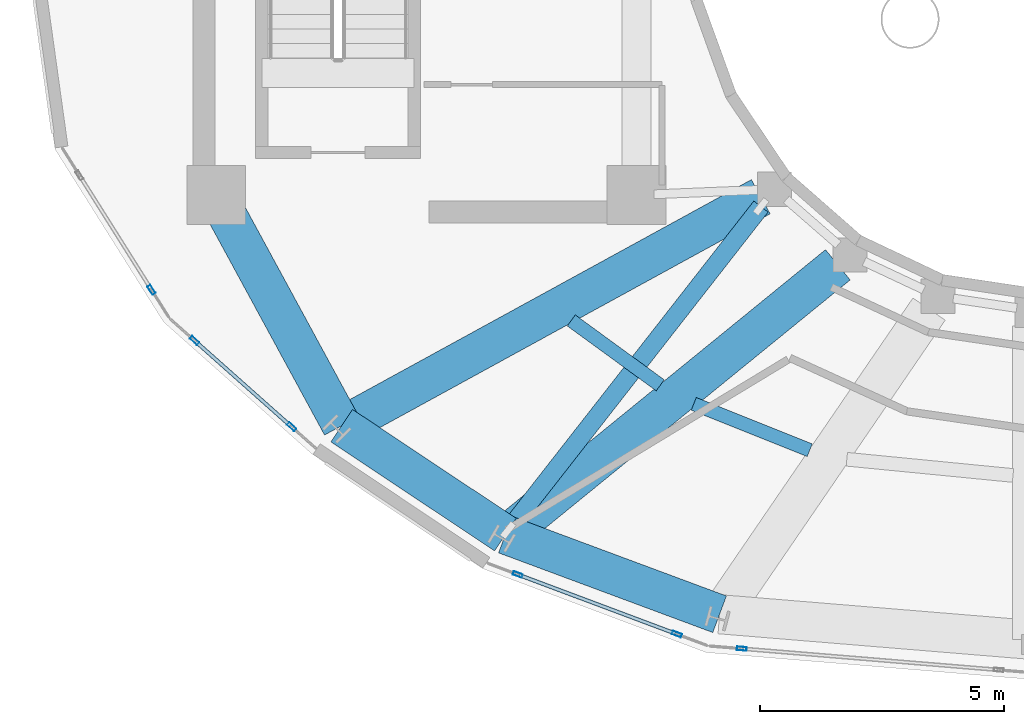
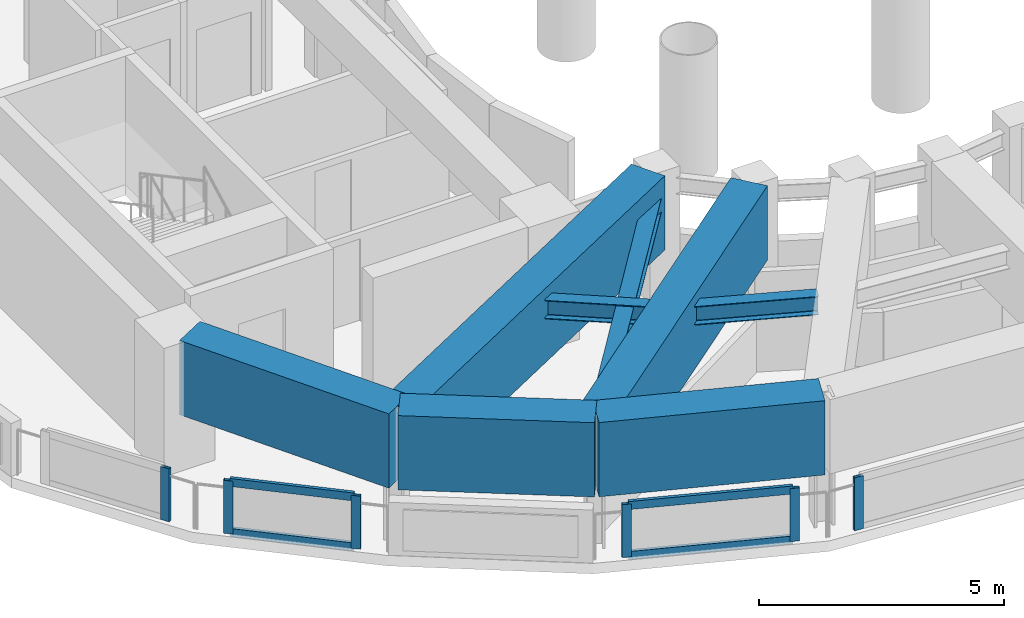
# One storey, part 2 of 18: 11 members, 7 beams, 4 elements without a shape of their own.
"""IFC4 building model written with IfcOpenShell, lengths in metres."""

import ifcopenshell
import ifcopenshell.guid

model = None  # the IFC model being written
_history = None  # IfcOwnerHistory: only IFC2X3 demands one
_inside = {}  # id of a spatial element -> (the spatial element, [elements in it])
_under = {}  # id of a project, library or spatial element -> (it, [spatial elements below it])
_declared = {}  # id of a project -> (the project, [libraries it declares])
_typed = {}  # id of a type object -> (the type object, [elements of that type])
_made_of = {}  # id of a material, layer set ... -> (it, [elements and type objects made of it])


def new_model(schema):
    """Start an empty IFC model of exactly this schema.

    Asked for "IFC4X3", IfcOpenShell would pick the latest addendum, in which some entities
    have other attributes; the version numbers below select the first issue.
    IFC2X3 requires an IfcOwnerHistory on every rooted entity: one is made here for all.
    """
    global model, _history
    if schema == "IFC4X3":
        model = ifcopenshell.file(schema_version=(4, 3, 0, 0))
    else:
        model = ifcopenshell.file(schema=schema)
    _inside.clear()
    _under.clear()
    _declared.clear()
    _typed.clear()
    _made_of.clear()
    _history = None
    if model.schema == "IFC2X3":
        org = make("IfcOrganization", Name="unknown")
        user = make(
            "IfcPersonAndOrganization",
            ThePerson=make("IfcPerson", FamilyName="unknown"),
            TheOrganization=org,
        )
        app = make(
            "IfcApplication",
            ApplicationDeveloper=org,
            Version="unknown",
            ApplicationFullName="unknown",
            ApplicationIdentifier="unknown",
        )
        _history = make(
            "IfcOwnerHistory",
            OwningUser=user,
            OwningApplication=app,
            ChangeAction="ADDED",
            CreationDate=0,
        )
    return model


def make(cls, **values):
    """One entity of the class cls with the attributes given. An attribute that is None is left unset."""
    return model.create_entity(
        cls, **{name: value for name, value in values.items() if value is not None}
    )


def rooted(cls, **values):
    """An entity with a GlobalId (a new one), such as an element, a storey or a relation."""
    return make(cls, GlobalId=ifcopenshell.guid.new(), OwnerHistory=_history, **values)


def si_unit(unit_type, name, prefix=None):
    """IfcSIUnit, for example si_unit("LENGTHUNIT", "METRE", prefix="MILLI")."""
    return make("IfcSIUnit", UnitType=unit_type, Prefix=prefix, Name=name)


def assignment(units):
    """IfcUnitAssignment: the units of a project."""
    return None if units is None else make("IfcUnitAssignment", Units=units)


def point(xyz):
    """IfcCartesianPoint."""
    return None if xyz is None else make("IfcCartesianPoint", Coordinates=xyz)


def direction(xyz):
    """IfcDirection."""
    return None if xyz is None else make("IfcDirection", DirectionRatios=xyz)


def frame(location, z_axis=None, x_axis=None):
    """IfcAxis2Placement3D, a coordinate frame: its origin and axes. An axis left out is left unset."""
    return make(
        "IfcAxis2Placement3D",
        Location=point(location),
        Axis=direction(z_axis),
        RefDirection=direction(x_axis),
    )


def frame_2d(location, x_axis=None):
    """IfcAxis2Placement2D, a coordinate frame in the plane: its origin and x axis."""
    return make(
        "IfcAxis2Placement2D", Location=point(location), RefDirection=direction(x_axis)
    )


def origin():
    """The frame at (0, 0, 0) with its axes left unset."""
    return frame((0.0, 0.0, 0.0))


def origin_2d():
    """The frame at (0, 0) in the plane with its x axis left unset."""
    return frame_2d((0.0, 0.0))


def place(relative_to, where):
    """IfcLocalPlacement: puts the frame where relative to a parent placement (None: the world)."""
    return make(
        "IfcLocalPlacement", PlacementRelTo=relative_to, RelativePlacement=where
    )


def context(
    kind, dimensions, precision=None, world=None, true_north=None, identifier=None
):
    """IfcGeometricRepresentationContext, for example the 3D "Model" context."""
    return make(
        "IfcGeometricRepresentationContext",
        ContextIdentifier=identifier,
        ContextType=kind,
        CoordinateSpaceDimension=dimensions,
        Precision=precision,
        WorldCoordinateSystem=world,
        TrueNorth=true_north,
    )


def subcontext(parent, identifier, kind, view, scale=None):
    """IfcGeometricRepresentationSubContext, for example "Body" below "Model"."""
    return make(
        "IfcGeometricRepresentationSubContext",
        ContextIdentifier=identifier,
        ContextType=kind,
        ParentContext=parent,
        TargetScale=scale,
        TargetView=view,
    )


def project(units=None, contexts=None):
    """IfcProject with its units and contexts."""
    return rooted(
        "IfcProject",
        Name="project",
        RepresentationContexts=contexts,
        UnitsInContext=assignment(units),
    )


def spatial(cls, under=None, at=None, **own):
    """A site, building, storey or space (cls), placed at a placement, below another one or the project."""
    s = rooted(cls, ObjectPlacement=at, **own)
    if under is not None:
        _under.setdefault(under.id(), (under, []))[1].append(s)
    return s


def profile(cls, at=None, kind="AREA", **sizes):
    """A parametric profile (cls). Its sizes go by their IFC names, for example OverallWidth=200.0."""
    return make(cls, ProfileType=kind, Position=at, **sizes)


def rectangle(**sizes):
    """IfcRectangleProfileDef."""
    return profile("IfcRectangleProfileDef", **sizes)


def hollow_rectangle(**sizes):
    """IfcRectangleHollowProfileDef."""
    return profile("IfcRectangleHollowProfileDef", **sizes)


def i_section(**sizes):
    """IfcIShapeProfileDef."""
    return profile("IfcIShapeProfileDef", **sizes)


def extrude(swept, where, along, depth):
    """IfcExtrudedAreaSolid: the profile swept, set in the frame where, extruded along a direction by depth."""
    return make(
        "IfcExtrudedAreaSolid",
        SweptArea=swept,
        Position=where,
        ExtrudedDirection=direction(along),
        Depth=depth,
    )


def shape(context_of_items, identifier, shape_type, items):
    """IfcShapeRepresentation: the items that make up one representation, for example the "Body"."""
    return make(
        "IfcShapeRepresentation",
        ContextOfItems=context_of_items,
        RepresentationIdentifier=identifier,
        RepresentationType=shape_type,
        Items=items,
    )


def material(Name=None, Category=None):
    """IfcMaterial."""
    return make("IfcMaterial", Name=Name, Category=Category)


def layer(
    of_material, thickness, ventilated=None, Name=None, Category=None, Priority=None
):
    """IfcMaterialLayer: one layer of a wall or slab, of a material (None: an air gap)."""
    return make(
        "IfcMaterialLayer",
        Material=of_material,
        LayerThickness=thickness,
        IsVentilated=ventilated,
        Name=Name,
        Category=Category,
        Priority=Priority,
    )


def layer_set(layers, Name=None):
    """IfcMaterialLayerSet."""
    return make("IfcMaterialLayerSet", MaterialLayers=layers, LayerSetName=Name)


def material_profile(
    of_material, cross_section, Name=None, Category=None, Priority=None
):
    """IfcMaterialProfile: a cross section and its material."""
    return make(
        "IfcMaterialProfile",
        Name=Name,
        Material=of_material,
        Profile=cross_section,
        Priority=Priority,
        Category=Category,
    )


def profile_set(profiles, Name=None, composite=None):
    """IfcMaterialProfileSet."""
    return make(
        "IfcMaterialProfileSet",
        Name=Name,
        MaterialProfiles=profiles,
        CompositeProfile=composite,
    )


def made_of(thing, what):
    """Note that an element or type object is made of a material, layer set ...; save() writes the relation."""
    if what is not None:
        _made_of.setdefault(what.id(), (what, []))[1].append(thing)
    return thing


def type_object(cls, material=None, **own):
    """A type object (cls), such as IfcWallType, which elements share."""
    return made_of(rooted(cls, **own), material)


def element(
    cls,
    number,
    at=None,
    inside=None,
    cuts=None,
    type_object=None,
    material=None,
    context=None,
    identifier="Body",
    shape_type=None,
    held_by="IfcProductDefinitionShape",
    body=None,
    shapes=None,
    **own,
):
    """One element of the class cls, such as IfcWall. Its Tag is "e" and its number.

    at: its placement. inside: the storey or other place that contains it. cuts: it is an
    opening in that element (IfcRelVoidsElement). A single representation is given by context,
    identifier, shape_type and body (its items); several are given by shapes. held_by: the class
    of the entity that holds the representations. save() writes the other relations.
    """
    e = rooted(cls, Tag="e%d" % number, ObjectPlacement=at, **own)
    if body is not None:
        shapes = [shape(context, identifier, shape_type, body)]
    if shapes is not None:
        e.Representation = make(held_by, Representations=shapes)
    if inside is not None:
        _inside.setdefault(inside.id(), (inside, []))[1].append(e)
    if cuts is not None:
        rooted(
            "IfcRelVoidsElement", RelatingBuildingElement=cuts, RelatedOpeningElement=e
        )
    if type_object is not None:
        _typed.setdefault(type_object.id(), (type_object, []))[1].append(e)
    return made_of(e, material)


def aggregate(whole, parts):
    """IfcRelAggregates: a whole, such as a stair, and the parts it consists of."""
    return rooted("IfcRelAggregates", RelatingObject=whole, RelatedObjects=parts)


def save(model, path):
    """Write the relations noted so far, then the file.

    IfcRelAggregates (storeys below a building ...), IfcRelContainedInSpatialStructure (elements
    in a storey), IfcRelDefinesByType, IfcRelAssociatesMaterial and IfcRelDeclares: one each for
    every whole, place, type object, material and project.
    """
    for whole, parts in _under.values():
        aggregate(whole, parts)
    for where, things in _inside.values():
        rooted(
            "IfcRelContainedInSpatialStructure",
            RelatedElements=things,
            RelatingStructure=where,
        )
    for kind, things in _typed.values():
        rooted("IfcRelDefinesByType", RelatedObjects=things, RelatingType=kind)
    for what, things in _made_of.values():
        rooted("IfcRelAssociatesMaterial", RelatedObjects=things, RelatingMaterial=what)
    for by, libraries in _declared.values():
        rooted("IfcRelDeclares", RelatingContext=by, RelatedDefinitions=libraries)
    model.write(path)


model = new_model("IFC4")

# Units and contexts
model_context = context("Model", 3, precision=1e-05, world=origin(), true_north=direction((0.0, 1.0)))
body_context = subcontext(model_context, "Body", "Model", "MODEL_VIEW")
ifc_project = project(units=[si_unit("LENGTHUNIT", "METRE"), si_unit("AREAUNIT", "SQUARE_METRE"), si_unit("VOLUMEUNIT", "CUBIC_METRE"), si_unit("PLANEANGLEUNIT", "RADIAN"), si_unit("MASSUNIT", "GRAM", prefix="KILO")], contexts=[model_context])

# Site, building, storey
site_placement = place(None, origin())
site = spatial("IfcSite", under=ifc_project, at=site_placement, CompositionType="ELEMENT")
building_placement = place(site_placement, origin())
building = spatial("IfcBuilding", under=site, at=building_placement, Name="Solvane Sanctuary Tower", CompositionType="ELEMENT")
storey_placement = place(building_placement, frame((0.0, 0.0, 266.800048828125)))
storey = spatial("IfcBuildingStorey", under=building, at=storey_placement, Name="L81", CompositionType="ELEMENT", Elevation=266.800048828125)

# Beams
ifc_material_1 = material(Name="Steel ASTM A992 Grade 50", Category="steel")
ifc_material_profile_1 = material_profile(ifc_material_1, i_section(OverallWidth=0.280029296875, OverallDepth=0.462890625, WebThickness=0.0107421875, FlangeThickness=0.017333984375, FilletRadius=0.013916015625, at=origin_2d()), Name="W18X76")
ifc_profile_set_1 = profile_set([ifc_material_profile_1], Name="Steel ASTM A992 Grade 50")
beam_type_1 = type_object("IfcBeamType", Name="Beam B-SEC-JOIST W18X76", PredefinedType="JOIST", material=ifc_profile_set_1)
beam_1_placement = place(storey_placement, frame((22.564697265625, 14.33251953125, 2.70654296875), z_axis=(0.808051579257, -0.589111742593, 0.0), x_axis=(0.589111742593, 0.808051579257, 0.0)))
element("IfcBeam", 1, at=beam_1_placement, inside=storey, type_object=beam_type_1, Name="L81 Secondary Circumferential Joist 08-09", PredefinedType="JOIST", context=body_context, shape_type="SweptSolid", body=[
    extrude(i_section(OverallWidth=0.280029296875, OverallDepth=0.462890625, WebThickness=0.0107421875, FlangeThickness=0.017333984375, FilletRadius=0.013916015625, at=origin_2d()), origin(), (0.0, 0.0, 1.0), 2.253662109375),
])
beam_2_placement = place(storey_placement, frame((25.07177734375, 12.62548828125, 2.70654296875), z_axis=(0.928509610191, -0.37130836751, 0.0), x_axis=(0.37130836751, 0.928509610191, 0.0)))
element("IfcBeam", 2, at=beam_2_placement, inside=storey, type_object=beam_type_1, Name="L81 Secondary Circumferential Joist 09-10", PredefinedType="JOIST", context=body_context, shape_type="SweptSolid", body=[
    extrude(i_section(OverallWidth=0.280029296875, OverallDepth=0.462890625, WebThickness=0.0107421875, FlangeThickness=0.017333984375, FilletRadius=0.013916015625, at=origin_2d()), origin(), (0.0, 0.0, 1.0), 2.55712890625),
])
ifc_material_2 = material(Name="Concrete C70/85", Category="concrete")
ifc_material_profile_2 = material_profile(ifc_material_2, rectangle(XDim=0.800048828125, YDim=1.85009765625, at=origin_2d()), Name="RC800X1850")
ifc_profile_set_2 = profile_set([ifc_material_profile_2], Name="Concrete C70/85")
beam_type_2 = type_object("IfcBeamType", Name="Beam B-XFER-BLK RC800X1850", PredefinedType="BEAM", material=ifc_profile_set_2)
beam_3_placement = place(storey_placement, frame((26.4443359375, 16.8642578125, 2.27490234375), z_axis=(-0.877118019925, -0.480274899534, 0.0), x_axis=(0.480274899534, -0.877118019925, 0.0)))
element("IfcBeam", 3, at=beam_3_placement, inside=storey, type_object=beam_type_2, Name="L81 Block-Shift Radial Transfer Girder 08A", PredefinedType="BEAM", context=body_context, shape_type="SweptSolid", body=[
    extrude(rectangle(XDim=0.800048828125, YDim=1.85009765625, at=origin_2d()), origin(), (0.0, 0.0, 1.0), 9.794189453125),
])
beam_4_placement = place(storey_placement, frame((28.021728515625, 15.471435546875, 2.27490234375), z_axis=(-0.775601292697, -0.631223125976, 0.0), x_axis=(0.631223125976, -0.775601292697, 0.0)))
element("IfcBeam", 4, at=beam_4_placement, inside=storey, type_object=beam_type_2, Name="L81 Block-Shift Radial Transfer Girder 09A", PredefinedType="BEAM", context=body_context, shape_type="SweptSolid", body=[
    extrude(rectangle(XDim=0.800048828125, YDim=1.85009765625, at=origin_2d()), origin(), (0.0, 0.0, 1.0), 8.772705078125),
])
beam_5_placement = place(storey_placement, frame((15.471923828125, 16.583740234375, 2.27490234375), z_axis=(0.477353990343, -0.878711083294, 0.0), x_axis=(0.878711083294, 0.477353990343, 0.0)))
element("IfcBeam", 5, at=beam_5_placement, inside=storey, type_object=beam_type_2, Name="L81 Perimeter Step Transfer Ring CW1-NTC08", PredefinedType="BEAM", context=body_context, shape_type="SweptSolid", body=[
    extrude(rectangle(XDim=0.800048828125, YDim=1.85009765625, at=origin_2d()), origin(), (0.0, 0.0, 1.0), 5.0146484375),
])
beam_6_placement = place(storey_placement, frame((17.86572265625, 12.17724609375, 2.27490234375), z_axis=(0.832637946712, -0.55381770439, 0.0), x_axis=(0.55381770439, 0.832637946712, 0.0)))
element("IfcBeam", 6, at=beam_6_placement, inside=storey, type_object=beam_type_2, Name="L81 Perimeter Step Transfer Ring NTC08-NTC09", PredefinedType="BEAM", context=body_context, shape_type="SweptSolid", body=[
    extrude(rectangle(XDim=0.800048828125, YDim=1.85009765625, at=origin_2d()), origin(), (0.0, 0.0, 1.0), 4.0234375),
])
beam_7_placement = place(storey_placement, frame((21.2158203125, 9.948974609375, 2.27490234375), z_axis=(0.937305510039, -0.348508795944, 0.0), x_axis=(0.348508795944, 0.937305510039, 0.0)))
element("IfcBeam", 7, at=beam_7_placement, inside=storey, type_object=beam_type_2, Name="L81 Perimeter Step Transfer Ring NTC09-NTC10", PredefinedType="BEAM", context=body_context, shape_type="SweptSolid", body=[
    extrude(rectangle(XDim=0.800048828125, YDim=1.85009765625, at=origin_2d()), origin(), (0.0, 0.0, 1.0), 4.678955078125),
])

# Member
ifc_material_profile_3 = material_profile(ifc_material_1, i_section(OverallWidth=0.368896484375, OverallDepth=0.35595703125, WebThickness=0.01123046875, FlangeThickness=0.01806640625, FilletRadius=0.02490234375, at=origin_2d()), Name="W14X90")
ifc_profile_set_3 = profile_set([ifc_material_profile_3], Name="Steel ASTM A992 Grade 50")
member_type_1 = type_object("IfcMemberType", Name="Member M-CROWN-TIE W14X90", PredefinedType="CHORD", material=ifc_profile_set_3)
member_1_placement = place(storey_placement, frame((26.4453125, 16.66015625, 2.54052734375), z_axis=(-0.615559369863, -0.787750922029, 0.023133244814), x_axis=(0.787961787944, -0.615724143379, 0.0)))
element("IfcMember", 8, at=member_1_placement, inside=storey, type_object=member_type_1, Name="L81 Crown Bracing Tie 08", PredefinedType="CHORD", context=body_context, shape_type="SweptSolid", body=[
    extrude(i_section(OverallWidth=0.368896484375, OverallDepth=0.35595703125, WebThickness=0.01123046875, FlangeThickness=0.01806640625, FilletRadius=0.02490234375, at=origin_2d()), origin(), (0.0, 0.0, 1.0), 8.400634765625),
])

# Curtain wall, member
ifc_material_3 = material(Name="Anodised Aluminium 6063-T6", Category="aluminium")
ifc_layer = layer(ifc_material_3, 0.219970703125, Name="Anodised Aluminium 6063-T6")
ifc_layer_set = layer_set([ifc_layer], Name="Anodised Aluminium 6063-T6")
curtain_wall_type = type_object("IfcCurtainWallType", Name="Curtain Wall CW-CROWN", PredefinedType="NOTDEFINED", material=ifc_layer_set)
curtain_wall_1_placement = place(storey_placement, origin())
curtain_wall_1 = element("IfcCurtainWall", 9, at=curtain_wall_1_placement, inside=storey, type_object=curtain_wall_type, Name="L81 Crown Fritted Lantern Curtain Wall 13", PredefinedType="NOTDEFINED")
ifc_material_profile_4 = material_profile(ifc_material_3, hollow_rectangle(XDim=0.074951171875, YDim=0.199951171875, WallThickness=0.00390625, at=origin_2d()), Name="ALU200X75X4")
ifc_profile_set_4 = profile_set([ifc_material_profile_4], Name="Anodised Aluminium 6063-T6")
member_type_2 = type_object("IfcMemberType", Name="Member M-CW-MUL-1 ALU200X75X4", PredefinedType="MULLION", material=ifc_profile_set_4)
member_2_placement = place(storey_placement, frame((13.971435546875, 14.9599609375, 0.0), z_axis=(0.0, 0.0, 1.0), x_axis=(0.846332102963, 0.532655584308, 0.0)))
member_2 = element("IfcMember", 10, at=member_2_placement, type_object=member_type_2, Name="CW-CROWN mullion 2", PredefinedType="MULLION", context=body_context, shape_type="SweptSolid", body=[
    extrude(hollow_rectangle(XDim=0.074951171875, YDim=0.199951171875, WallThickness=0.00390625, at=origin_2d()), origin(), (0.0, 0.0, 1.0), 1.320068359375),
])
aggregate(curtain_wall_1, [member_2])

# Curtain wall, members
curtain_wall_2_placement = place(storey_placement, origin())
curtain_wall_2 = element("IfcCurtainWall", 11, at=curtain_wall_2_placement, inside=storey, type_object=curtain_wall_type, Name="L81 Crown Fritted Lantern Curtain Wall 14", PredefinedType="NOTDEFINED")
member_3_placement = place(storey_placement, frame((14.851806640625, 13.921630859375, 0.0), z_axis=(0.0, 0.0, 1.0), x_axis=(0.664070848204, 0.74766965203, 0.0)))
member_3 = element("IfcMember", 12, at=member_3_placement, type_object=member_type_2, Name="CW-CROWN mullion 1", PredefinedType="MULLION", context=body_context, shape_type="SweptSolid", body=[
    extrude(hollow_rectangle(XDim=0.074951171875, YDim=0.199951171875, WallThickness=0.00390625, at=origin_2d()), origin(), (0.0, 0.0, 1.0), 1.320068359375),
])
member_4_placement = place(storey_placement, frame((16.83935546875, 12.15625, 0.0), z_axis=(0.0, 0.0, 1.0), x_axis=(0.664070848204, 0.74766965203, 0.0)))
member_4 = element("IfcMember", 13, at=member_4_placement, type_object=member_type_2, Name="CW-CROWN mullion 2", PredefinedType="MULLION", context=body_context, shape_type="SweptSolid", body=[
    extrude(hollow_rectangle(XDim=0.074951171875, YDim=0.199951171875, WallThickness=0.00390625, at=origin_2d()), origin(), (0.0, 0.0, 1.0), 1.320068359375),
])

curtain_wall_3_placement = place(storey_placement, origin())
curtain_wall_3 = element("IfcCurtainWall", 14, at=curtain_wall_3_placement, inside=storey, type_object=curtain_wall_type, Name="L81 Crown Fritted Lantern Curtain Wall 16", PredefinedType="NOTDEFINED")
member_5_placement = place(storey_placement, frame((21.46875, 9.1318359375, 0.0), z_axis=(0.0, 0.0, 1.0), x_axis=(0.350836569959, 0.93643670431, 0.0)))
member_5 = element("IfcMember", 15, at=member_5_placement, type_object=member_type_2, Name="CW-CROWN mullion 1", PredefinedType="MULLION", context=body_context, shape_type="SweptSolid", body=[
    extrude(hollow_rectangle(XDim=0.074951171875, YDim=0.199951171875, WallThickness=0.00390625, at=origin_2d()), origin(), (0.0, 0.0, 1.0), 1.320068359375),
])
member_6_placement = place(storey_placement, frame((24.7255859375, 7.911865234375, 0.0), z_axis=(0.0, 0.0, 1.0), x_axis=(0.350836569959, 0.93643670431, 0.0)))
member_6 = element("IfcMember", 16, at=member_6_placement, type_object=member_type_2, Name="CW-CROWN mullion 2", PredefinedType="MULLION", context=body_context, shape_type="SweptSolid", body=[
    extrude(hollow_rectangle(XDim=0.074951171875, YDim=0.199951171875, WallThickness=0.00390625, at=origin_2d()), origin(), (0.0, 0.0, 1.0), 1.320068359375),
])

# Curtain wall, member
curtain_wall_4_placement = place(storey_placement, origin())
curtain_wall_4 = element("IfcCurtainWall", 17, at=curtain_wall_4_placement, inside=storey, type_object=curtain_wall_type, Name="L81 Crown Fritted Lantern Curtain Wall 17", PredefinedType="NOTDEFINED")
member_7_placement = place(storey_placement, frame((26.0546875, 7.614013671875, 0.0), z_axis=(0.0, 0.0, 1.0), x_axis=(0.082454909667, 0.99659479623, 0.0)))
member_7 = element("IfcMember", 18, at=member_7_placement, type_object=member_type_2, Name="CW-CROWN mullion 1", PredefinedType="MULLION", context=body_context, shape_type="SweptSolid", body=[
    extrude(hollow_rectangle(XDim=0.074951171875, YDim=0.199951171875, WallThickness=0.00390625, at=origin_2d()), origin(), (0.0, 0.0, 1.0), 1.320068359375),
])
aggregate(curtain_wall_4, [member_7])

# Member
ifc_material_profile_5 = material_profile(ifc_material_3, hollow_rectangle(XDim=0.074951171875, YDim=0.199951171875, WallThickness=0.00390625, at=origin_2d()), Name="ALU200X75X4")
ifc_profile_set_5 = profile_set([ifc_material_profile_5], Name="Anodised Aluminium 6063-T6")
member_type_3 = type_object("IfcMemberType", Name="Member M-CW-TRN-2 ALU200X75X4", PredefinedType="USERDEFINED", material=ifc_profile_set_5)
member_8_placement = place(storey_placement, frame((14.8798828125, 13.896728515625, 0.037353515625), z_axis=(0.747643909836, -0.66409982991, 0.0), x_axis=(0.66409982991, 0.747643909836, 0.0)))
member_8 = element("IfcMember", 19, at=member_8_placement, type_object=member_type_3, Name="CW-CROWN transom 1.1", ObjectType="TRANSOM", PredefinedType="USERDEFINED", context=body_context, shape_type="SweptSolid", body=[
    extrude(hollow_rectangle(XDim=0.074951171875, YDim=0.199951171875, WallThickness=0.00390625, at=origin_2d()), origin(), (0.0, 0.0, 1.0), 2.583251953125),
])

member_9_placement = place(storey_placement, frame((14.8798828125, 13.896728515625, 1.282470703125), z_axis=(0.747643909836, -0.66409982991, 0.0), x_axis=(0.66409982991, 0.747643909836, 0.0)))
member_9 = element("IfcMember", 20, at=member_9_placement, type_object=member_type_3, Name="CW-CROWN transom 1.2", ObjectType="TRANSOM", PredefinedType="USERDEFINED", context=body_context, shape_type="SweptSolid", body=[
    extrude(hollow_rectangle(XDim=0.074951171875, YDim=0.199951171875, WallThickness=0.00390625, at=origin_2d()), origin(), (0.0, 0.0, 1.0), 2.583251953125),
])

aggregate(curtain_wall_2, [member_3, member_4, member_8, member_9])

member_10_placement = place(storey_placement, frame((21.50390625, 9.118896484375, 0.037353515625), z_axis=(0.936411707224, -0.35090328379, 0.0), x_axis=(0.35090328379, 0.936411707224, 0.0)))
member_10 = element("IfcMember", 21, at=member_10_placement, type_object=member_type_3, Name="CW-CROWN transom 1.1", ObjectType="TRANSOM", PredefinedType="USERDEFINED", context=body_context, shape_type="SweptSolid", body=[
    extrude(hollow_rectangle(XDim=0.074951171875, YDim=0.199951171875, WallThickness=0.00390625, at=origin_2d()), origin(), (0.0, 0.0, 1.0), 3.40283203125),
])

member_11_placement = place(storey_placement, frame((21.50390625, 9.118896484375, 1.282470703125), z_axis=(0.936411707224, -0.35090328379, 0.0), x_axis=(0.35090328379, 0.936411707224, 0.0)))
member_11 = element("IfcMember", 22, at=member_11_placement, type_object=member_type_3, Name="CW-CROWN transom 1.2", ObjectType="TRANSOM", PredefinedType="USERDEFINED", context=body_context, shape_type="SweptSolid", body=[
    extrude(hollow_rectangle(XDim=0.074951171875, YDim=0.199951171875, WallThickness=0.00390625, at=origin_2d()), origin(), (0.0, 0.0, 1.0), 3.40283203125),
])

aggregate(curtain_wall_3, [member_5, member_6, member_10, member_11])

save(model, "model.ifc")
